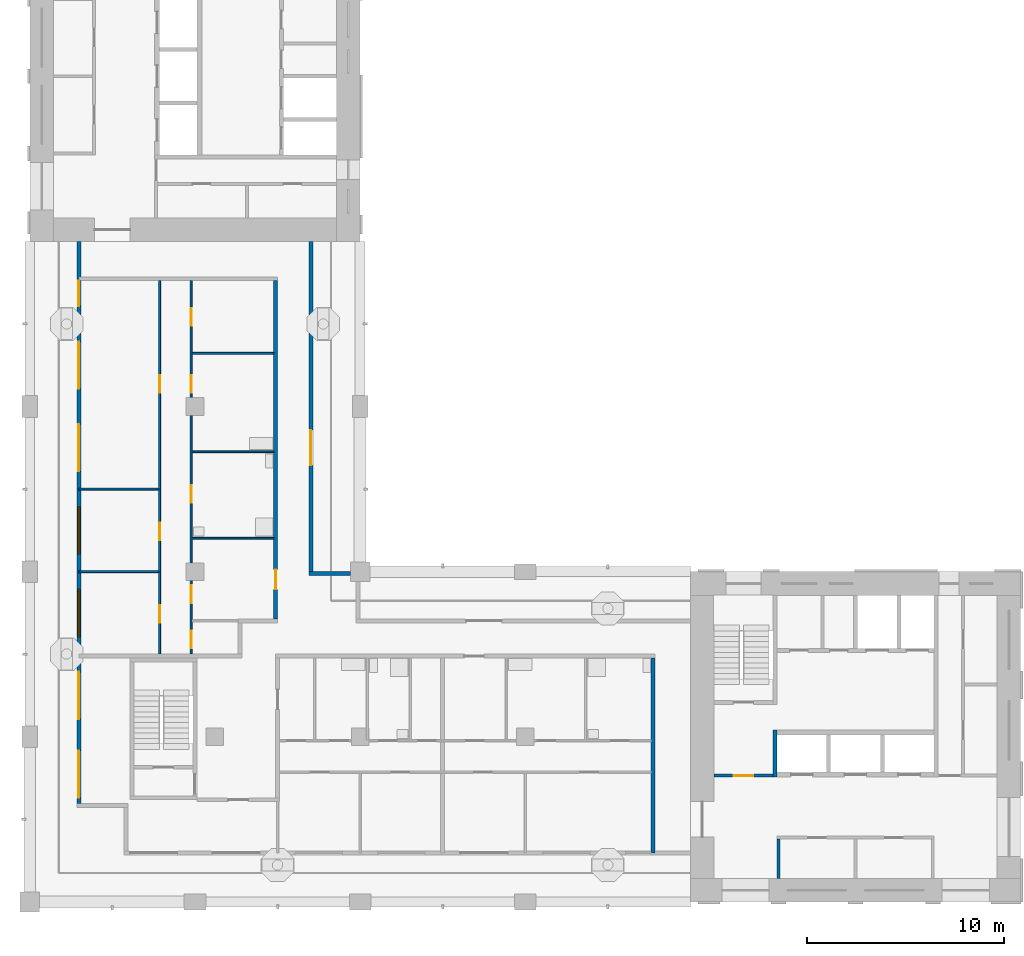
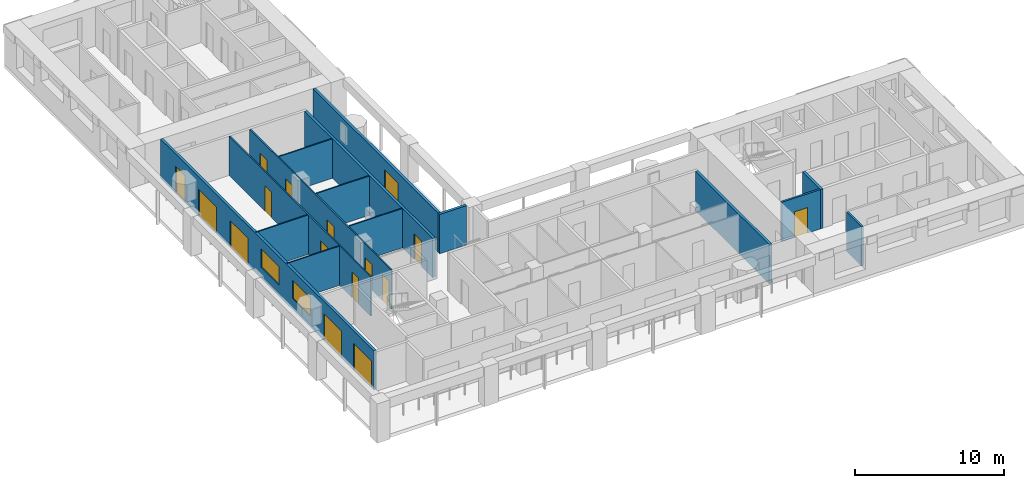
# One storey, part 3 of 11: 16 doors, 15 walls, 2 windows, 18 openings.
"""IFC4 building model written with IfcOpenShell, lengths in metres."""

from ifc_helpers import new_model, si_unit, direction, frame, frame_2d, origin, place, context, subcontext, project, spatial, rectangle, extrude, material, layer, layer_set, type_object, element, fill, save


model = new_model("IFC4")

# Units and contexts
model_context = context("Model", 3, precision=1e-05, world=origin(), true_north=direction((0.0, 1.0)))
body_context = subcontext(model_context, "Body", "Model", "MODEL_VIEW")
ifc_project = project(units=[si_unit("LENGTHUNIT", "METRE"), si_unit("AREAUNIT", "SQUARE_METRE"), si_unit("VOLUMEUNIT", "CUBIC_METRE"), si_unit("PLANEANGLEUNIT", "RADIAN"), si_unit("MASSUNIT", "GRAM", prefix="KILO")], contexts=[model_context])

# Site, building, storey
site_placement = place(None, origin())
site = spatial("IfcSite", under=ifc_project, at=site_placement, CompositionType="ELEMENT")
building_placement = place(site_placement, origin())
building = spatial("IfcBuilding", under=site, at=building_placement, Name="Vermilion Gate Residences", CompositionType="ELEMENT")
storey_placement = place(building_placement, frame((0.0, 0.0, 259.699951171875)))
storey = spatial("IfcBuildingStorey", under=building, at=storey_placement, Name="L68", CompositionType="ELEMENT", Elevation=259.699951171875)

# Wall
ifc_material_1 = material(Name="Masonry blockwork", Category="masonry")
ifc_layer_1 = layer(ifc_material_1, 0.14990234375)
ifc_layer_set_1 = layer_set([ifc_layer_1], Name="BLOCKWORK PARTITION 150 EI 120")
wall_type_1 = type_object("IfcWallType", Name="BLOCKWORK PARTITION 150 EI 120", PredefinedType="PARTITIONING", material=ifc_layer_set_1)
wall_1_placement = place(storey_placement, frame((46.47509765625, 9.60009765625, 0.0), z_axis=(0.0, 0.0, 1.0), x_axis=(0.0, 1.0, 0.0)))
element("IfcWall", 1, at=wall_1_placement, inside=storey, type_object=wall_type_1, Name="Core room partition A68-RW-W", PredefinedType="PARTITIONING", context=body_context, shape_type="SweptSolid", body=[
    extrude(rectangle(XDim=2.0, YDim=0.14990234375, at=frame_2d((1.0, 0.0))), origin(), (0.0, 0.0, 1.0), 3.219970703125),
])

# Wall, opening, door
wall_2_placement = place(storey_placement, frame((43.199951171875, 14.824951171875, 0.0), z_axis=(0.0, 0.0, 1.0), x_axis=(1.0, 0.0, 0.0)))
wall_2 = element("IfcWall", 2, at=wall_2_placement, inside=storey, type_object=wall_type_1, Name="Core room partition A68-VW-S", PredefinedType="PARTITIONING", context=body_context, shape_type="SweptSolid", body=[
    extrude(rectangle(XDim=3.0, YDim=0.14990234375, at=frame_2d((1.5, 0.0))), origin(), (0.0, 0.0, 1.0), 3.219970703125),
])
opening_1_placement = place(wall_2_placement, frame((1.0, 0.0, 0.0)))
opening_1 = element("IfcOpeningElement", 3, at=opening_1_placement, cuts=wall_2, Name="Opening DK68011", PredefinedType="OPENING", context=body_context, shape_type="SweptSolid", body=[
    extrude(rectangle(XDim=1.0, YDim=2.10009765625, at=frame_2d((0.5, 1.050048828125))), frame((0.0, 0.0849609375, 0.0), z_axis=(0.0, -1.0, 0.0), x_axis=(1.0, 0.0, 0.0)), (0.0, 0.0, 1.0), 0.169921875),
])
ifc_material_2 = material(Name="Steel", Category="steel")
door_type_1 = type_object("IfcDoorType", Name="FIRE DOOR FD60 1000 X 2100", OperationType="SINGLE_SWING_LEFT", PredefinedType="DOOR", material=ifc_material_2)
door_1_placement = place(opening_1_placement, frame((1.0, 0.0, 0.0), z_axis=(0.0, 0.0, 1.0), x_axis=(-1.0, 0.0, 0.0)))
door_1 = element("IfcDoor", 4, at=door_1_placement, inside=storey, type_object=door_type_1, Name="Stair vestibule door A68", OperationType="SINGLE_SWING_RIGHT", OverallHeight=2.10009765625, OverallWidth=1.0, PredefinedType="DOOR", context=body_context, shape_type="SweptSolid", body=[
    extrude(rectangle(XDim=1.0, YDim=2.10009765625, at=frame_2d((0.5, 1.050048828125))), frame((0.0, 0.02490234375, 0.0), z_axis=(0.0, -1.0, 0.0), x_axis=(1.0, 0.0, 0.0)), (0.0, 0.0, 1.0), 0.050048828125),
])
fill(opening_1, door_1)

# Wall, openings, doors, windows
ifc_material_3 = material(Name="Insulated steel stud wall with terracotta rainscreen", Category="masonry")
ifc_layer_2 = layer(ifc_material_3, 0.199951171875)
ifc_layer_set_2 = layer_set([ifc_layer_2], Name="EXTERNAL WALL 200 TERRACOTTA RAINSCREEN")
wall_type_2 = type_object("IfcWallType", Name="EXTERNAL WALL 200 TERRACOTTA RAINSCREEN", PredefinedType="SOLIDWALL", material=ifc_layer_set_2)
wall_3_placement = place(storey_placement, frame((10.89990234375, 42.0, 0.0), z_axis=(0.0, 0.0, 1.0), x_axis=(0.0, -1.0, 0.0)))
wall_3 = element("IfcWall", 5, at=wall_3_placement, inside=storey, type_object=wall_type_2, Name="External wall", PredefinedType="SOLIDWALL", context=body_context, shape_type="SweptSolid", body=[
    extrude(rectangle(XDim=28.60009765625, YDim=0.199951171875, at=frame_2d((14.300048828125, 0.0))), origin(), (0.0, 0.0, 1.0), 3.219970703125),
])
opening_2_placement = place(wall_3_placement, frame((25.89990234375, 0.0, 0.0)))
opening_2 = element("IfcOpeningElement", 6, at=opening_2_placement, cuts=wall_3, Name="Opening DE68001", PredefinedType="OPENING", context=body_context, shape_type="SweptSolid", body=[
    extrude(rectangle(XDim=2.39990234375, YDim=2.199951171875, at=frame_2d((1.199951171875, 1.10009765625))), frame((0.0, 0.10986328125, 0.0), z_axis=(0.0, -1.0, 0.0), x_axis=(1.0, 0.0, 0.0)), (0.0, 0.0, 1.0), 0.219970703125),
])
opening_3_placement = place(wall_3_placement, frame((21.89990234375, 0.0, 0.0)))
opening_3 = element("IfcOpeningElement", 7, at=opening_3_placement, cuts=wall_3, Name="Opening DE68002", PredefinedType="OPENING", context=body_context, shape_type="SweptSolid", body=[
    extrude(rectangle(XDim=2.39990234375, YDim=2.199951171875, at=frame_2d((1.199951171875, 1.10009765625))), frame((0.0, 0.10986328125, 0.0), z_axis=(0.0, -1.0, 0.0), x_axis=(1.0, 0.0, 0.0)), (0.0, 0.0, 1.0), 0.219970703125),
])
opening_4_placement = place(wall_3_placement, frame((17.699951171875, 0.0, 0.89990234375)))
opening_4 = element("IfcOpeningElement", 8, at=opening_4_placement, cuts=wall_3, Name="Opening WE68003", PredefinedType="OPENING", context=body_context, shape_type="SweptSolid", body=[
    extrude(rectangle(XDim=2.39990234375, YDim=1.5, at=frame_2d((1.199951171875, 0.75))), frame((0.0, 0.10986328125, 0.0), z_axis=(0.0, -1.0, 0.0), x_axis=(1.0, 0.0, 0.0)), (0.0, 0.0, 1.0), 0.219970703125),
])
opening_5_placement = place(wall_3_placement, frame((13.5, 0.0, 0.89990234375)))
opening_5 = element("IfcOpeningElement", 9, at=opening_5_placement, cuts=wall_3, Name="Opening WE68004", PredefinedType="OPENING", context=body_context, shape_type="SweptSolid", body=[
    extrude(rectangle(XDim=2.39990234375, YDim=1.5, at=frame_2d((1.199951171875, 0.75))), frame((0.0, 0.10986328125, 0.0), z_axis=(0.0, -1.0, 0.0), x_axis=(1.0, 0.0, 0.0)), (0.0, 0.0, 1.0), 0.219970703125),
])
opening_6_placement = place(wall_3_placement, frame((9.300048828125, 0.0, 0.0)))
opening_6 = element("IfcOpeningElement", 10, at=opening_6_placement, cuts=wall_3, Name="Opening DE68005", PredefinedType="OPENING", context=body_context, shape_type="SweptSolid", body=[
    extrude(rectangle(XDim=2.39990234375, YDim=2.199951171875, at=frame_2d((1.199951171875, 1.10009765625))), frame((0.0, 0.10986328125, 0.0), z_axis=(0.0, -1.0, 0.0), x_axis=(1.0, 0.0, 0.0)), (0.0, 0.0, 1.0), 0.219970703125),
])
opening_7_placement = place(wall_3_placement, frame((5.10009765625, 0.0, 0.0)))
opening_7 = element("IfcOpeningElement", 11, at=opening_7_placement, cuts=wall_3, Name="Opening DE68006", PredefinedType="OPENING", context=body_context, shape_type="SweptSolid", body=[
    extrude(rectangle(XDim=2.39990234375, YDim=2.199951171875, at=frame_2d((1.199951171875, 1.10009765625))), frame((0.0, 0.10986328125, 0.0), z_axis=(0.0, -1.0, 0.0), x_axis=(1.0, 0.0, 0.0)), (0.0, 0.0, 1.0), 0.219970703125),
])
opening_8_placement = place(wall_3_placement, frame((2.0, 0.0, 0.0)))
opening_8 = element("IfcOpeningElement", 12, at=opening_8_placement, cuts=wall_3, Name="Opening DE68007", PredefinedType="OPENING", context=body_context, shape_type="SweptSolid", body=[
    extrude(rectangle(XDim=1.300048828125, YDim=2.199951171875, at=frame_2d((0.64990234375, 1.10009765625))), frame((0.0, 0.10986328125, 0.0), z_axis=(0.0, -1.0, 0.0), x_axis=(1.0, 0.0, 0.0)), (0.0, 0.0, 1.0), 0.219970703125),
])
ifc_material_4 = material(Name="Aluminium and clear glass", Category="aluminium")
door_type_2 = type_object("IfcDoorType", Name="SLIDING GLAZED DOOR 1300 X 2200", OperationType="DOUBLE_DOOR_SLIDING", PredefinedType="DOOR", material=ifc_material_4)
door_2_placement = place(opening_8_placement, origin())
door_2 = element("IfcDoor", 13, at=door_2_placement, inside=storey, type_object=door_type_2, Name="Loggia sliding door", OperationType="DOUBLE_DOOR_SLIDING", OverallHeight=2.199951171875, OverallWidth=1.300048828125, PredefinedType="DOOR", context=body_context, shape_type="SweptSolid", body=[
    extrude(rectangle(XDim=1.300048828125, YDim=2.199951171875, at=frame_2d((0.64990234375, 1.10009765625))), frame((0.0, 0.02490234375, 0.0), z_axis=(0.0, -1.0, 0.0), x_axis=(1.0, 0.0, 0.0)), (0.0, 0.0, 1.0), 0.050048828125),
])
fill(opening_8, door_2)
ifc_material_5 = material(Name="Aluminium and clear glass", Category="aluminium")
door_type_3 = type_object("IfcDoorType", Name="SLIDING GLAZED DOOR 2400 X 2200", OperationType="DOUBLE_DOOR_SLIDING", PredefinedType="DOOR", material=ifc_material_5)
door_3_placement = place(opening_2_placement, origin())
door_3 = element("IfcDoor", 14, at=door_3_placement, inside=storey, type_object=door_type_3, Name="Loggia sliding door", OperationType="DOUBLE_DOOR_SLIDING", OverallHeight=2.199951171875, OverallWidth=2.39990234375, PredefinedType="DOOR", context=body_context, shape_type="SweptSolid", body=[
    extrude(rectangle(XDim=2.39990234375, YDim=2.199951171875, at=frame_2d((1.199951171875, 1.10009765625))), frame((0.0, 0.02490234375, 0.0), z_axis=(0.0, -1.0, 0.0), x_axis=(1.0, 0.0, 0.0)), (0.0, 0.0, 1.0), 0.050048828125),
])
fill(opening_2, door_3)
door_4_placement = place(opening_3_placement, origin())
door_4 = element("IfcDoor", 15, at=door_4_placement, inside=storey, type_object=door_type_3, Name="Loggia sliding door", OperationType="DOUBLE_DOOR_SLIDING", OverallHeight=2.199951171875, OverallWidth=2.39990234375, PredefinedType="DOOR", context=body_context, shape_type="SweptSolid", body=[
    extrude(rectangle(XDim=2.39990234375, YDim=2.199951171875, at=frame_2d((1.199951171875, 1.10009765625))), frame((0.0, 0.02490234375, 0.0), z_axis=(0.0, -1.0, 0.0), x_axis=(1.0, 0.0, 0.0)), (0.0, 0.0, 1.0), 0.050048828125),
])
fill(opening_3, door_4)
door_5_placement = place(opening_6_placement, origin())
door_5 = element("IfcDoor", 16, at=door_5_placement, inside=storey, type_object=door_type_3, Name="Loggia sliding door", OperationType="DOUBLE_DOOR_SLIDING", OverallHeight=2.199951171875, OverallWidth=2.39990234375, PredefinedType="DOOR", context=body_context, shape_type="SweptSolid", body=[
    extrude(rectangle(XDim=2.39990234375, YDim=2.199951171875, at=frame_2d((1.199951171875, 1.10009765625))), frame((0.0, 0.02490234375, 0.0), z_axis=(0.0, -1.0, 0.0), x_axis=(1.0, 0.0, 0.0)), (0.0, 0.0, 1.0), 0.050048828125),
])
fill(opening_6, door_5)
door_6_placement = place(opening_7_placement, origin())
door_6 = element("IfcDoor", 17, at=door_6_placement, inside=storey, type_object=door_type_3, Name="Loggia sliding door", OperationType="DOUBLE_DOOR_SLIDING", OverallHeight=2.199951171875, OverallWidth=2.39990234375, PredefinedType="DOOR", context=body_context, shape_type="SweptSolid", body=[
    extrude(rectangle(XDim=2.39990234375, YDim=2.199951171875, at=frame_2d((1.199951171875, 1.10009765625))), frame((0.0, 0.02490234375, 0.0), z_axis=(0.0, -1.0, 0.0), x_axis=(1.0, 0.0, 0.0)), (0.0, 0.0, 1.0), 0.050048828125),
])
fill(opening_7, door_6)
ifc_material_6 = material(Name="Aluminium and clear glass", Category="aluminium")
window_type = type_object("IfcWindowType", Name="WINDOW 2400 X 1500", PartitioningType="SINGLE_PANEL", PredefinedType="WINDOW", material=ifc_material_6)
window_1_placement = place(opening_4_placement, origin())
window_1 = element("IfcWindow", 18, at=window_1_placement, inside=storey, type_object=window_type, Name="Window", OverallHeight=1.5, OverallWidth=2.39990234375, PartitioningType="SINGLE_PANEL", PredefinedType="WINDOW", context=body_context, shape_type="SweptSolid", body=[
    extrude(rectangle(XDim=2.39990234375, YDim=1.5, at=frame_2d((1.199951171875, 0.75))), frame((0.0, 0.030029296875, 0.0), z_axis=(0.0, -1.0, 0.0), x_axis=(1.0, 0.0, 0.0)), (0.0, 0.0, 1.0), 0.06005859375),
])
fill(opening_4, window_1)
window_2_placement = place(opening_5_placement, origin())
window_2 = element("IfcWindow", 19, at=window_2_placement, inside=storey, type_object=window_type, Name="Window", OverallHeight=1.5, OverallWidth=2.39990234375, PartitioningType="SINGLE_PANEL", PredefinedType="WINDOW", context=body_context, shape_type="SweptSolid", body=[
    extrude(rectangle(XDim=2.39990234375, YDim=1.5, at=frame_2d((1.199951171875, 0.75))), frame((0.0, 0.030029296875, 0.0), z_axis=(0.0, -1.0, 0.0), x_axis=(1.0, 0.0, 0.0)), (0.0, 0.0, 1.0), 0.06005859375),
])
fill(opening_5, window_2)

# Wall
wall_4_placement = place(storey_placement, frame((24.699951171875, 25.10009765625, 0.0), z_axis=(0.0, 0.0, 1.0), x_axis=(-1.0, 0.0, 0.0)))
element("IfcWall", 20, at=wall_4_placement, inside=storey, type_object=wall_type_2, Name="External wall", PredefinedType="SOLIDWALL", context=body_context, shape_type="SweptSolid", body=[
    extrude(rectangle(XDim=2.099853515625, YDim=0.199951171875, at=frame_2d((1.0498046875, 0.0))), origin(), (0.0, 0.0, 1.0), 3.219970703125),
])

# Wall, opening, door
wall_5_placement = place(storey_placement, frame((22.699951171875, 25.199951171875, 0.0), z_axis=(0.0, 0.0, 1.0), x_axis=(0.0, 1.0, 0.0)))
wall_5 = element("IfcWall", 21, at=wall_5_placement, inside=storey, type_object=wall_type_2, Name="External wall", PredefinedType="SOLIDWALL", context=body_context, shape_type="SweptSolid", body=[
    extrude(rectangle(XDim=16.800048828125, YDim=0.199951171875, at=frame_2d((8.39990234375, 0.0))), origin(), (0.0, 0.0, 1.0), 3.219970703125),
])
opening_9_placement = place(wall_5_placement, frame((5.39990234375, 0.0, 0.0)))
opening_9 = element("IfcOpeningElement", 22, at=opening_9_placement, cuts=wall_5, Name="Opening DE68016", PredefinedType="OPENING", context=body_context, shape_type="SweptSolid", body=[
    extrude(rectangle(XDim=1.800048828125, YDim=2.39990234375, at=frame_2d((0.89990234375, 1.199951171875))), frame((0.0, 0.10986328125, 0.0), z_axis=(0.0, -1.0, 0.0), x_axis=(1.0, 0.0, 0.0)), (0.0, 0.0, 1.0), 0.219970703125),
])
ifc_material_7 = material(Name="Aluminium and clear glass", Category="aluminium")
door_type_4 = type_object("IfcDoorType", Name="GLAZED EXTERNAL DOOR 1800 X 2400", OperationType="DOUBLE_DOOR_SINGLE_SWING", PredefinedType="DOOR", material=ifc_material_7)
door_7_placement = place(opening_9_placement, frame((1.800048828125, 0.0, 0.0), z_axis=(0.0, 0.0, 1.0), x_axis=(-1.0, 0.0, 0.0)))
door_7 = element("IfcDoor", 23, at=door_7_placement, inside=storey, type_object=door_type_4, Name="Gallery door", OperationType="DOUBLE_DOOR_SINGLE_SWING", OverallHeight=2.39990234375, OverallWidth=1.800048828125, PredefinedType="DOOR", context=body_context, shape_type="SweptSolid", body=[
    extrude(rectangle(XDim=1.800048828125, YDim=2.39990234375, at=frame_2d((0.89990234375, 1.199951171875))), frame((0.0, 0.02490234375, 0.0), z_axis=(0.0, -1.0, 0.0), x_axis=(1.0, 0.0, 0.0)), (0.0, 0.0, 1.0), 0.050048828125),
])
fill(opening_9, door_7)

# Walls
ifc_material_8 = material(Name="Plasterboard on steel studs", Category="steel")
ifc_layer_3 = layer(ifc_material_8, 0.10009765625)
ifc_layer_set_3 = layer_set([ifc_layer_3], Name="PARTITION 100")
wall_type_3 = type_object("IfcWallType", Name="PARTITION 100", PredefinedType="PARTITIONING", material=ifc_layer_set_3)
wall_6_placement = place(storey_placement, frame((10.89990234375, 25.199951171875, 0.0), z_axis=(0.0, 0.0, 1.0), x_axis=(1.0, 0.0, 0.0)))
element("IfcWall", 24, at=wall_6_placement, inside=storey, type_object=wall_type_3, Name="Partition", PredefinedType="PARTITIONING", context=body_context, shape_type="SweptSolid", body=[
    extrude(rectangle(XDim=4.050048828125, YDim=0.10009765625, at=frame_2d((2.02490234375, 0.0))), origin(), (0.0, 0.0, 1.0), 3.219970703125),
])
wall_7_placement = place(storey_placement, frame((16.64990234375, 26.89990234375, 0.0), z_axis=(0.0, 0.0, 1.0), x_axis=(1.0, 0.0, 0.0)))
element("IfcWall", 25, at=wall_7_placement, inside=storey, type_object=wall_type_3, Name="Partition", PredefinedType="PARTITIONING", context=body_context, shape_type="SweptSolid", body=[
    extrude(rectangle(XDim=4.150146484375, YDim=0.10009765625, at=frame_2d((2.0751953125, 0.0))), origin(), (0.0, 0.0, 1.0), 3.219970703125),
])
wall_8_placement = place(storey_placement, frame((10.89990234375, 29.39990234375, 0.0), z_axis=(0.0, 0.0, 1.0), x_axis=(1.0, 0.0, 0.0)))
element("IfcWall", 26, at=wall_8_placement, inside=storey, type_object=wall_type_3, Name="Partition", PredefinedType="PARTITIONING", context=body_context, shape_type="SweptSolid", body=[
    extrude(rectangle(XDim=4.050048828125, YDim=0.10009765625, at=frame_2d((2.02490234375, 0.0))), origin(), (0.0, 0.0, 1.0), 3.219970703125),
])
for number, where, z_axis, x_axis, name in (
    (27, (16.64990234375, 31.300048828125, 0.0), (0.0, 0.0, 1.0), (1.0, 0.0, 0.0), "Partition"),
    (28, (16.64990234375, 36.300048828125, 0.0), (0.0, 0.0, 1.0), (1.0, 0.0, 0.0), "Partition"),
):
    element("IfcWall", number, at=place(storey_placement, frame(where, z_axis=z_axis, x_axis=x_axis)), inside=storey, type_object=wall_type_3, Name=name, PredefinedType="PARTITIONING", context=body_context, shape_type="SweptSolid", body=[
        extrude(rectangle(XDim=4.150146484375, YDim=0.10009765625, at=frame_2d((2.0751953125, 0.0))), origin(), (0.0, 0.0, 1.0), 3.219970703125),
    ])

# Wall, openings, doors
wall_9_placement = place(storey_placement, frame((15.0, 21.0, 0.0), z_axis=(0.0, 0.0, 1.0), x_axis=(0.0, 1.0, 0.0)))
wall_9 = element("IfcWall", 29, at=wall_9_placement, inside=storey, type_object=wall_type_3, Name="Partition", PredefinedType="PARTITIONING", context=body_context, shape_type="SweptSolid", body=[
    extrude(rectangle(XDim=19.0, YDim=0.10009765625, at=frame_2d((9.5, 0.0))), origin(), (0.0, 0.0, 1.0), 3.219970703125),
])
opening_10_placement = place(wall_9_placement, frame((1.60009765625, 0.0, 0.0)))
opening_10 = element("IfcOpeningElement", 30, at=opening_10_placement, cuts=wall_9, Name="Opening DA67014", PredefinedType="OPENING", context=body_context, shape_type="SweptSolid", body=[
    extrude(rectangle(XDim=0.89990234375, YDim=2.10009765625, at=frame_2d((0.449951171875, 1.050048828125))), frame((0.0, 0.06005859375, 0.0), z_axis=(0.0, -1.0, 0.0), x_axis=(1.0, 0.0, 0.0)), (0.0, 0.0, 1.0), 0.1201171875),
])
opening_11_placement = place(wall_9_placement, frame((5.800048828125, 0.0, 0.0)))
opening_11 = element("IfcOpeningElement", 31, at=opening_11_placement, cuts=wall_9, Name="Opening DA67015", PredefinedType="OPENING", context=body_context, shape_type="SweptSolid", body=[
    extrude(rectangle(XDim=0.89990234375, YDim=2.10009765625, at=frame_2d((0.449951171875, 1.050048828125))), frame((0.0, 0.06005859375, 0.0), z_axis=(0.0, -1.0, 0.0), x_axis=(1.0, 0.0, 0.0)), (0.0, 0.0, 1.0), 0.1201171875),
])
opening_12_placement = place(wall_9_placement, frame((13.300048828125, 0.0, 0.0)))
opening_12 = element("IfcOpeningElement", 32, at=opening_12_placement, cuts=wall_9, Name="Opening DA67016", PredefinedType="OPENING", context=body_context, shape_type="SweptSolid", body=[
    extrude(rectangle(XDim=0.89990234375, YDim=2.10009765625, at=frame_2d((0.449951171875, 1.050048828125))), frame((0.0, 0.06005859375, 0.0), z_axis=(0.0, -1.0, 0.0), x_axis=(1.0, 0.0, 0.0)), (0.0, 0.0, 1.0), 0.1201171875),
])
ifc_material_9 = material(Name="Timber", Category="wood")
door_type_5 = type_object("IfcDoorType", Name="INTERIOR DOOR 900 X 2100", OperationType="SINGLE_SWING_LEFT", PredefinedType="DOOR", material=ifc_material_9)
door_8_placement = place(opening_10_placement, origin())
door_8 = element("IfcDoor", 33, at=door_8_placement, inside=storey, type_object=door_type_5, Name="Interior door", OperationType="SINGLE_SWING_LEFT", OverallHeight=2.10009765625, OverallWidth=0.89990234375, PredefinedType="DOOR", context=body_context, shape_type="SweptSolid", body=[
    extrude(rectangle(XDim=0.89990234375, YDim=2.10009765625, at=frame_2d((0.449951171875, 1.050048828125))), frame((0.0, 0.02490234375, 0.0), z_axis=(0.0, -1.0, 0.0), x_axis=(1.0, 0.0, 0.0)), (0.0, 0.0, 1.0), 0.050048828125),
])
fill(opening_10, door_8)
door_9_placement = place(opening_11_placement, origin())
door_9 = element("IfcDoor", 34, at=door_9_placement, inside=storey, type_object=door_type_5, Name="Interior door", OperationType="SINGLE_SWING_LEFT", OverallHeight=2.10009765625, OverallWidth=0.89990234375, PredefinedType="DOOR", context=body_context, shape_type="SweptSolid", body=[
    extrude(rectangle(XDim=0.89990234375, YDim=2.10009765625, at=frame_2d((0.449951171875, 1.050048828125))), frame((0.0, 0.02490234375, 0.0), z_axis=(0.0, -1.0, 0.0), x_axis=(1.0, 0.0, 0.0)), (0.0, 0.0, 1.0), 0.050048828125),
])
fill(opening_11, door_9)
door_10_placement = place(opening_12_placement, origin())
door_10 = element("IfcDoor", 35, at=door_10_placement, inside=storey, type_object=door_type_5, Name="Interior door", OperationType="SINGLE_SWING_LEFT", OverallHeight=2.10009765625, OverallWidth=0.89990234375, PredefinedType="DOOR", context=body_context, shape_type="SweptSolid", body=[
    extrude(rectangle(XDim=0.89990234375, YDim=2.10009765625, at=frame_2d((0.449951171875, 1.050048828125))), frame((0.0, 0.02490234375, 0.0), z_axis=(0.0, -1.0, 0.0), x_axis=(1.0, 0.0, 0.0)), (0.0, 0.0, 1.0), 0.050048828125),
])
fill(opening_12, door_10)

wall_10_placement = place(storey_placement, frame((16.60009765625, 21.0, 0.0), z_axis=(0.0, 0.0, 1.0), x_axis=(0.0, 1.0, 0.0)))
wall_10 = element("IfcWall", 36, at=wall_10_placement, inside=storey, type_object=wall_type_3, Name="Partition", PredefinedType="PARTITIONING", context=body_context, shape_type="SweptSolid", body=[
    extrude(rectangle(XDim=19.0, YDim=0.10009765625, at=frame_2d((9.5, 0.0))), origin(), (0.0, 0.0, 1.0), 3.219970703125),
])
opening_13_placement = place(wall_10_placement, frame((2.60009765625, 0.0, 0.0)))
opening_13 = element("IfcOpeningElement", 37, at=opening_13_placement, cuts=wall_10, Name="Opening DA67017", PredefinedType="OPENING", context=body_context, shape_type="SweptSolid", body=[
    extrude(rectangle(XDim=0.89990234375, YDim=2.10009765625, at=frame_2d((0.449951171875, 1.050048828125))), frame((0.0, 0.06005859375, 0.0), z_axis=(0.0, -1.0, 0.0), x_axis=(1.0, 0.0, 0.0)), (0.0, 0.0, 1.0), 0.1201171875),
])
opening_14_placement = place(wall_10_placement, frame((0.300048828125, 0.0, 0.0)))
opening_14 = element("IfcOpeningElement", 38, at=opening_14_placement, cuts=wall_10, Name="Opening DA67018", PredefinedType="OPENING", context=body_context, shape_type="SweptSolid", body=[
    extrude(rectangle(XDim=0.89990234375, YDim=2.10009765625, at=frame_2d((0.449951171875, 1.050048828125))), frame((0.0, 0.06005859375, 0.0), z_axis=(0.0, -1.0, 0.0), x_axis=(1.0, 0.0, 0.0)), (0.0, 0.0, 1.0), 0.1201171875),
])
opening_15_placement = place(wall_10_placement, frame((7.699951171875, 0.0, 0.0)))
opening_15 = element("IfcOpeningElement", 39, at=opening_15_placement, cuts=wall_10, Name="Opening DA67019", PredefinedType="OPENING", context=body_context, shape_type="SweptSolid", body=[
    extrude(rectangle(XDim=0.89990234375, YDim=2.10009765625, at=frame_2d((0.449951171875, 1.050048828125))), frame((0.0, 0.06005859375, 0.0), z_axis=(0.0, -1.0, 0.0), x_axis=(1.0, 0.0, 0.0)), (0.0, 0.0, 1.0), 0.1201171875),
])
opening_16_placement = place(wall_10_placement, frame((13.300048828125, 0.0, 0.0)))
opening_16 = element("IfcOpeningElement", 40, at=opening_16_placement, cuts=wall_10, Name="Opening DA67020", PredefinedType="OPENING", context=body_context, shape_type="SweptSolid", body=[
    extrude(rectangle(XDim=0.89990234375, YDim=2.10009765625, at=frame_2d((0.449951171875, 1.050048828125))), frame((0.0, 0.06005859375, 0.0), z_axis=(0.0, -1.0, 0.0), x_axis=(1.0, 0.0, 0.0)), (0.0, 0.0, 1.0), 0.1201171875),
])
opening_17_placement = place(wall_10_placement, frame((16.699951171875, 0.0, 0.0)))
opening_17 = element("IfcOpeningElement", 41, at=opening_17_placement, cuts=wall_10, Name="Opening DA67021", PredefinedType="OPENING", context=body_context, shape_type="SweptSolid", body=[
    extrude(rectangle(XDim=0.89990234375, YDim=2.10009765625, at=frame_2d((0.449951171875, 1.050048828125))), frame((0.0, 0.06005859375, 0.0), z_axis=(0.0, -1.0, 0.0), x_axis=(1.0, 0.0, 0.0)), (0.0, 0.0, 1.0), 0.1201171875),
])
door_11_placement = place(opening_13_placement, frame((0.89990234375, 0.0, 0.0), z_axis=(0.0, 0.0, 1.0), x_axis=(-1.0, 0.0, 0.0)))
door_11 = element("IfcDoor", 42, at=door_11_placement, inside=storey, type_object=door_type_5, Name="Interior door", OperationType="SINGLE_SWING_LEFT", OverallHeight=2.10009765625, OverallWidth=0.89990234375, PredefinedType="DOOR", context=body_context, shape_type="SweptSolid", body=[
    extrude(rectangle(XDim=0.89990234375, YDim=2.10009765625, at=frame_2d((0.449951171875, 1.050048828125))), frame((0.0, 0.02490234375, 0.0), z_axis=(0.0, -1.0, 0.0), x_axis=(1.0, 0.0, 0.0)), (0.0, 0.0, 1.0), 0.050048828125),
])
fill(opening_13, door_11)
door_12_placement = place(opening_14_placement, frame((0.89990234375, 0.0, 0.0), z_axis=(0.0, 0.0, 1.0), x_axis=(-1.0, 0.0, 0.0)))
door_12 = element("IfcDoor", 43, at=door_12_placement, inside=storey, type_object=door_type_5, Name="Interior door", OperationType="SINGLE_SWING_RIGHT", OverallHeight=2.10009765625, OverallWidth=0.89990234375, PredefinedType="DOOR", context=body_context, shape_type="SweptSolid", body=[
    extrude(rectangle(XDim=0.89990234375, YDim=2.10009765625, at=frame_2d((0.449951171875, 1.050048828125))), frame((0.0, 0.02490234375, 0.0), z_axis=(0.0, -1.0, 0.0), x_axis=(1.0, 0.0, 0.0)), (0.0, 0.0, 1.0), 0.050048828125),
])
fill(opening_14, door_12)
door_13_placement = place(opening_15_placement, frame((0.89990234375, 0.0, 0.0), z_axis=(0.0, 0.0, 1.0), x_axis=(-1.0, 0.0, 0.0)))
door_13 = element("IfcDoor", 44, at=door_13_placement, inside=storey, type_object=door_type_5, Name="Interior door", OperationType="SINGLE_SWING_RIGHT", OverallHeight=2.10009765625, OverallWidth=0.89990234375, PredefinedType="DOOR", context=body_context, shape_type="SweptSolid", body=[
    extrude(rectangle(XDim=0.89990234375, YDim=2.10009765625, at=frame_2d((0.449951171875, 1.050048828125))), frame((0.0, 0.02490234375, 0.0), z_axis=(0.0, -1.0, 0.0), x_axis=(1.0, 0.0, 0.0)), (0.0, 0.0, 1.0), 0.050048828125),
])
fill(opening_15, door_13)
door_14_placement = place(opening_16_placement, frame((0.89990234375, 0.0, 0.0), z_axis=(0.0, 0.0, 1.0), x_axis=(-1.0, 0.0, 0.0)))
door_14 = element("IfcDoor", 45, at=door_14_placement, inside=storey, type_object=door_type_5, Name="Interior door", OperationType="SINGLE_SWING_RIGHT", OverallHeight=2.10009765625, OverallWidth=0.89990234375, PredefinedType="DOOR", context=body_context, shape_type="SweptSolid", body=[
    extrude(rectangle(XDim=0.89990234375, YDim=2.10009765625, at=frame_2d((0.449951171875, 1.050048828125))), frame((0.0, 0.02490234375, 0.0), z_axis=(0.0, -1.0, 0.0), x_axis=(1.0, 0.0, 0.0)), (0.0, 0.0, 1.0), 0.050048828125),
])
fill(opening_16, door_14)
door_15_placement = place(opening_17_placement, frame((0.89990234375, 0.0, 0.0), z_axis=(0.0, 0.0, 1.0), x_axis=(-1.0, 0.0, 0.0)))
door_15 = element("IfcDoor", 46, at=door_15_placement, inside=storey, type_object=door_type_5, Name="Interior door", OperationType="SINGLE_SWING_RIGHT", OverallHeight=2.10009765625, OverallWidth=0.89990234375, PredefinedType="DOOR", context=body_context, shape_type="SweptSolid", body=[
    extrude(rectangle(XDim=0.89990234375, YDim=2.10009765625, at=frame_2d((0.449951171875, 1.050048828125))), frame((0.0, 0.02490234375, 0.0), z_axis=(0.0, -1.0, 0.0), x_axis=(1.0, 0.0, 0.0)), (0.0, 0.0, 1.0), 0.050048828125),
])
fill(opening_17, door_15)

# Wall, opening, door
ifc_material_10 = material(Name="Fire-rated plasterboard on steel studs", Category="steel")
ifc_layer_4 = layer(ifc_material_10, 0.199951171875)
ifc_layer_set_4 = layer_set([ifc_layer_4], Name="PARTY WALL 200 EI 120")
wall_type_4 = type_object("IfcWallType", Name="PARTY WALL 200 EI 120", PredefinedType="PARTITIONING", material=ifc_layer_set_4)
wall_11_placement = place(storey_placement, frame((20.89990234375, 22.800048828125, 0.0), z_axis=(0.0, 0.0, 1.0), x_axis=(0.0, 1.0, 0.0)))
wall_11 = element("IfcWall", 47, at=wall_11_placement, inside=storey, type_object=wall_type_4, Name="Party and corridor wall", PredefinedType="PARTITIONING", context=body_context, shape_type="SweptSolid", body=[
    extrude(rectangle(XDim=17.199951171875, YDim=0.199951171875, at=frame_2d((8.60009765625, 0.0))), origin(), (0.0, 0.0, 1.0), 3.219970703125),
])
opening_18_placement = place(wall_11_placement, frame((1.5, 0.0, 0.0)))
opening_18 = element("IfcOpeningElement", 48, at=opening_18_placement, cuts=wall_11, Name="Opening DA67022", PredefinedType="OPENING", context=body_context, shape_type="SweptSolid", body=[
    extrude(rectangle(XDim=1.0, YDim=2.10009765625, at=frame_2d((0.5, 1.050048828125))), frame((0.0, 0.10986328125, 0.0), z_axis=(0.0, -1.0, 0.0), x_axis=(1.0, 0.0, 0.0)), (0.0, 0.0, 1.0), 0.219970703125),
])
ifc_material_11 = material(Name="Steel", Category="steel")
door_type_6 = type_object("IfcDoorType", Name="ENTRANCE DOOR 1000 X 2100 FD30", OperationType="SINGLE_SWING_LEFT", PredefinedType="DOOR", material=ifc_material_11)
door_16_placement = place(opening_18_placement, origin())
door_16 = element("IfcDoor", 49, at=door_16_placement, inside=storey, type_object=door_type_6, Name="Entrance door", OperationType="SINGLE_SWING_LEFT", OverallHeight=2.10009765625, OverallWidth=1.0, PredefinedType="DOOR", context=body_context, shape_type="SweptSolid", body=[
    extrude(rectangle(XDim=1.0, YDim=2.10009765625, at=frame_2d((0.5, 1.050048828125))), frame((0.0, 0.02490234375, 0.0), z_axis=(0.0, -1.0, 0.0), x_axis=(1.0, 0.0, 0.0)), (0.0, 0.0, 1.0), 0.050048828125),
])
fill(opening_18, door_16)

# Walls
wall_12_placement = place(storey_placement, frame((40.10009765625, 10.89990234375, 0.0), z_axis=(0.0, 0.0, 1.0), x_axis=(0.0, 1.0, 0.0)))
element("IfcWall", 50, at=wall_12_placement, inside=storey, type_object=wall_type_4, Name="Party and corridor wall", PredefinedType="PARTITIONING", context=body_context, shape_type="SweptSolid", body=[
    extrude(rectangle(XDim=9.900146484375, YDim=0.199951171875, at=frame_2d((4.9501953125, 0.0))), origin(), (0.0, 0.0, 1.0), 3.219970703125),
])
ifc_material_12 = material(Name="Concrete C60", Category="concrete")
ifc_layer_5 = layer(ifc_material_12, 0.199951171875)
ifc_layer_set_5 = layer_set([ifc_layer_5], Name="RC CORE INTERNAL WALL 200 C60")
wall_type_5 = type_object("IfcWallType", Name="RC CORE INTERNAL WALL 200 C60", PredefinedType="SHEAR", material=ifc_layer_set_5)
wall_13_placement = place(storey_placement, frame((46.300048828125, 14.75, 0.0), z_axis=(0.0, 0.0, 1.0), x_axis=(0.0, 1.0, 0.0)))
element("IfcWall", 51, at=wall_13_placement, inside=storey, type_object=wall_type_5, Name="Core internal wall A68-WDIV1", PredefinedType="SHEAR", context=body_context, shape_type="SweptSolid", body=[
    extrude(rectangle(XDim=2.39990234375, YDim=0.199951171875, at=frame_2d((1.199951171875, 0.0))), origin(), (0.0, 0.0, 1.0), 3.219970703125),
])

save(model, "model.ifc")
